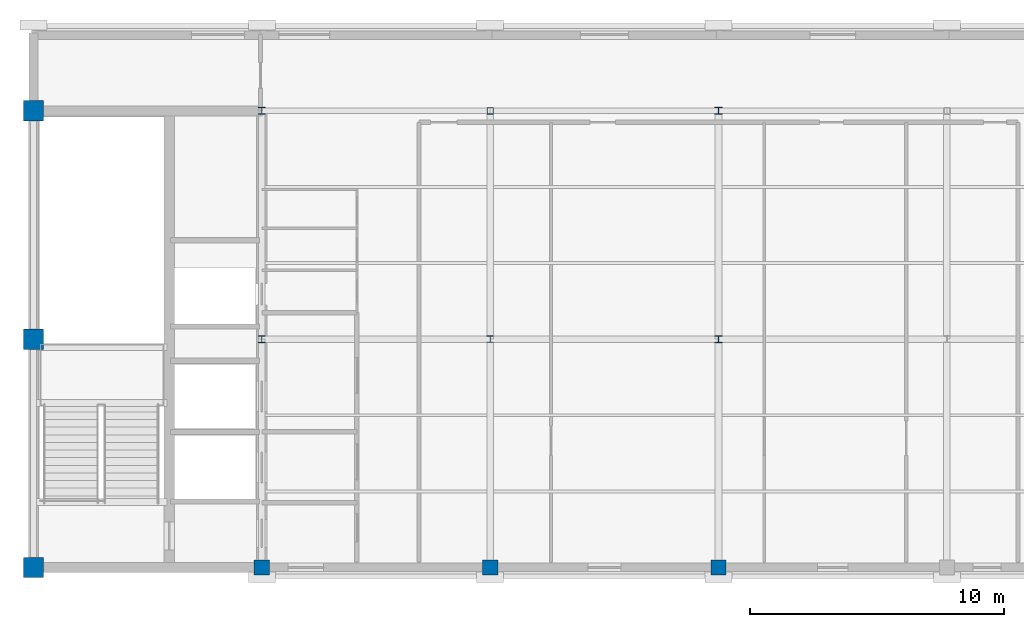
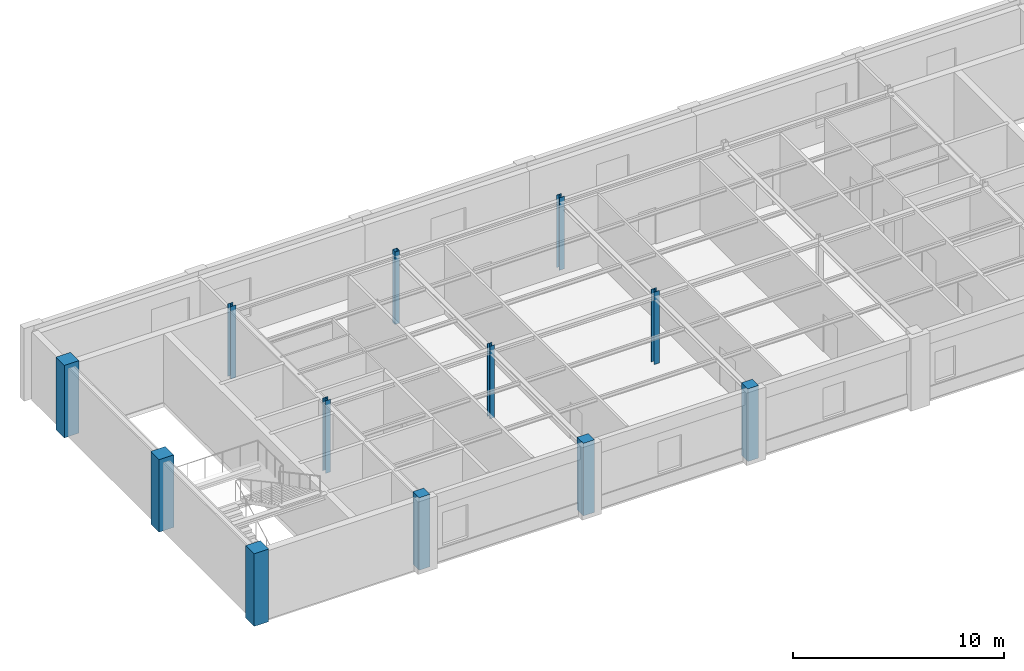
# One storey, part 1 of 7: 12 columns.
"""IFC4 building model written with IfcOpenShell, lengths in metres."""

from ifc_helpers import new_model, si_unit, direction, frame, origin, origin_2d, place, context, subcontext, project, spatial, rectangle, hollow_rectangle, i_section, extrude, material, material_profile, profile_set, type_object, element, save


model = new_model("IFC4")

# Units and contexts
model_context = context("Model", 3, precision=1e-05, world=origin(), true_north=direction((0.0, 1.0)))
body_context = subcontext(model_context, "Body", "Model", "MODEL_VIEW")
ifc_project = project(units=[si_unit("LENGTHUNIT", "METRE"), si_unit("AREAUNIT", "SQUARE_METRE"), si_unit("VOLUMEUNIT", "CUBIC_METRE"), si_unit("PLANEANGLEUNIT", "RADIAN"), si_unit("MASSUNIT", "GRAM", prefix="KILO")], contexts=[model_context])

# Site, building, storey
site_placement = place(None, origin())
site = spatial("IfcSite", under=ifc_project, at=site_placement, CompositionType="ELEMENT")
building_placement = place(site_placement, origin())
building = spatial("IfcBuilding", under=site, at=building_placement, Name="Lykobir Media Centre", CompositionType="ELEMENT")
storey_placement = place(building_placement, frame((0.0, 0.0, 31.800048828125)))
storey = spatial("IfcBuildingStorey", under=building, at=storey_placement, Name="L07", CompositionType="ELEMENT", Elevation=31.800048828125)

# Columns
ifc_material_1 = material(Name="Concrete C40/50", Category="concrete")
ifc_material_profile_1 = material_profile(ifc_material_1, rectangle(XDim=0.60009765625, YDim=0.60009765625, at=origin_2d()), Name="RC 600x600")
ifc_profile_set_1 = profile_set([ifc_material_profile_1], Name="Concrete C40/50")
column_type_1 = type_object("IfcColumnType", Name="RC-C600-E", PredefinedType="COLUMN", material=ifc_profile_set_1)
for number, where, z_axis, x_axis, name in (
    (1, (36.0, 0.0, 0.0), (0.0, 0.0, 1.0), (1.0, 0.0, 0.0), "Column COL-L07-0360-0000"),
    (2, (45.0, 0.0, 0.0), (0.0, 0.0, 1.0), (1.0, 0.0, 0.0), "Column COL-L07-0450-0000"),
    (3, (54.0, 0.0, 0.0), (0.0, 0.0, 1.0), (1.0, 0.0, 0.0), "Column COL-L07-0540-0000"),
):
    element("IfcColumn", number, at=place(storey_placement, frame(where, z_axis=z_axis, x_axis=x_axis)), inside=storey, type_object=column_type_1, Name=name, PredefinedType="COLUMN", context=body_context, shape_type="SweptSolid", body=[
        extrude(rectangle(XDim=0.60009765625, YDim=0.60009765625, at=origin_2d()), origin(), (0.0, 0.0, 1.0), 4.199951171875),
    ])
ifc_material_profile_2 = material_profile(ifc_material_1, rectangle(XDim=0.800048828125, YDim=0.800048828125, at=origin_2d()), Name="RC 800x800")
ifc_profile_set_2 = profile_set([ifc_material_profile_2], Name="Concrete C40/50")
column_type_2 = type_object("IfcColumnType", Name="RC-C800", PredefinedType="COLUMN", material=ifc_profile_set_2)
for number, where, z_axis, x_axis, name in (
    (4, (27.0, 9.0, 0.0), (0.0, 0.0, 1.0), (1.0, 0.0, 0.0), "Column COL-L07-0270-0090"),
    (5, (27.0, 18.0, 0.0), (0.0, 0.0, 1.0), (1.0, 0.0, 0.0), "Column COL-L07-0270-0180"),
):
    element("IfcColumn", number, at=place(storey_placement, frame(where, z_axis=z_axis, x_axis=x_axis)), inside=storey, type_object=column_type_2, Name=name, PredefinedType="COLUMN", context=body_context, shape_type="SweptSolid", body=[
        extrude(rectangle(XDim=0.800048828125, YDim=0.800048828125, at=origin_2d()), origin(), (0.0, 0.0, 1.0), 4.199951171875),
    ])
ifc_material_profile_3 = material_profile(ifc_material_1, rectangle(XDim=0.800048828125, YDim=0.800048828125, at=origin_2d()), Name="RC 800x800")
ifc_profile_set_3 = profile_set([ifc_material_profile_3], Name="Concrete C40/50")
column_type_3 = type_object("IfcColumnType", Name="RC-C800-E", PredefinedType="COLUMN", material=ifc_profile_set_3)
column_1_placement = place(storey_placement, frame((27.0, 0.0, 0.0), z_axis=(0.0, 0.0, 1.0), x_axis=(1.0, 0.0, 0.0)))
element("IfcColumn", 6, at=column_1_placement, inside=storey, type_object=column_type_3, Name="Column COL-L07-0270-0000", PredefinedType="COLUMN", context=body_context, shape_type="SweptSolid", body=[
    extrude(rectangle(XDim=0.800048828125, YDim=0.800048828125, at=origin_2d()), origin(), (0.0, 0.0, 1.0), 4.199951171875),
])
ifc_material_2 = material(Name="Steel S355", Category="steel")
ifc_material_profile_4 = material_profile(ifc_material_2, i_section(OverallWidth=0.260009765625, OverallDepth=0.260009765625, WebThickness=0.010009765625, FlangeThickness=0.017578125, at=origin_2d()), Name="HEB 260")
ifc_profile_set_4 = profile_set([ifc_material_profile_4], Name="Steel S355")
column_type_4 = type_object("IfcColumnType", Name="SC-HEB260", PredefinedType="COLUMN", material=ifc_profile_set_4)
column_2_placement = place(storey_placement, frame((45.0, 9.0, 0.0), z_axis=(0.0, 0.0, 1.0), x_axis=(1.0, 0.0, 0.0)))
element("IfcColumn", 7, at=column_2_placement, inside=storey, type_object=column_type_4, Name="Column COL-L07-0450-0090", PredefinedType="COLUMN", context=body_context, shape_type="SweptSolid", body=[
    extrude(i_section(OverallWidth=0.260009765625, OverallDepth=0.260009765625, WebThickness=0.010009765625, FlangeThickness=0.017578125, at=origin_2d()), origin(), (0.0, 0.0, 1.0), 4.199951171875),
])
ifc_material_profile_5 = material_profile(ifc_material_2, i_section(OverallWidth=0.280029296875, OverallDepth=0.280029296875, WebThickness=0.010498046875, FlangeThickness=0.01806640625, at=origin_2d()), Name="HEB 280")
ifc_profile_set_5 = profile_set([ifc_material_profile_5], Name="Steel S355")
column_type_5 = type_object("IfcColumnType", Name="SC-HEB280", PredefinedType="COLUMN", material=ifc_profile_set_5)
for number, where, z_axis, x_axis, name in (
    (8, (36.0, 9.0, 0.0), (0.0, 0.0, 1.0), (1.0, 0.0, 0.0), "Column COL-L07-0360-0090"),
    (9, (36.0, 18.0, 0.0), (0.0, 0.0, 1.0), (1.0, 0.0, 0.0), "Column COL-L07-0360-0180"),
    (10, (54.0, 9.0, 0.0), (0.0, 0.0, 1.0), (1.0, 0.0, 0.0), "Column COL-L07-0540-0090"),
    (11, (54.0, 18.0, 0.0), (0.0, 0.0, 1.0), (1.0, 0.0, 0.0), "Column COL-L07-0540-0180"),
):
    element("IfcColumn", number, at=place(storey_placement, frame(where, z_axis=z_axis, x_axis=x_axis)), inside=storey, type_object=column_type_5, Name=name, PredefinedType="COLUMN", context=body_context, shape_type="SweptSolid", body=[
        extrude(i_section(OverallWidth=0.280029296875, OverallDepth=0.280029296875, WebThickness=0.010498046875, FlangeThickness=0.01806640625, at=origin_2d()), origin(), (0.0, 0.0, 1.0), 4.199951171875),
    ])
ifc_material_profile_6 = material_profile(ifc_material_2, hollow_rectangle(XDim=0.25, YDim=0.25, WallThickness=0.012451171875, at=origin_2d()), Name="SHS 250x250x12.5")
ifc_profile_set_6 = profile_set([ifc_material_profile_6], Name="Steel S355")
column_type_6 = type_object("IfcColumnType", Name="SC-SHS250", PredefinedType="COLUMN", material=ifc_profile_set_6)
column_3_placement = place(storey_placement, frame((45.0, 18.0, 0.0), z_axis=(0.0, 0.0, 1.0), x_axis=(1.0, 0.0, 0.0)))
element("IfcColumn", 12, at=column_3_placement, inside=storey, type_object=column_type_6, Name="Column COL-L07-0450-0180", PredefinedType="COLUMN", context=body_context, shape_type="SweptSolid", body=[
    extrude(hollow_rectangle(XDim=0.25, YDim=0.25, WallThickness=0.012451171875, at=origin_2d()), origin(), (0.0, 0.0, 1.0), 4.199951171875),
])

save(model, "model.ifc")
